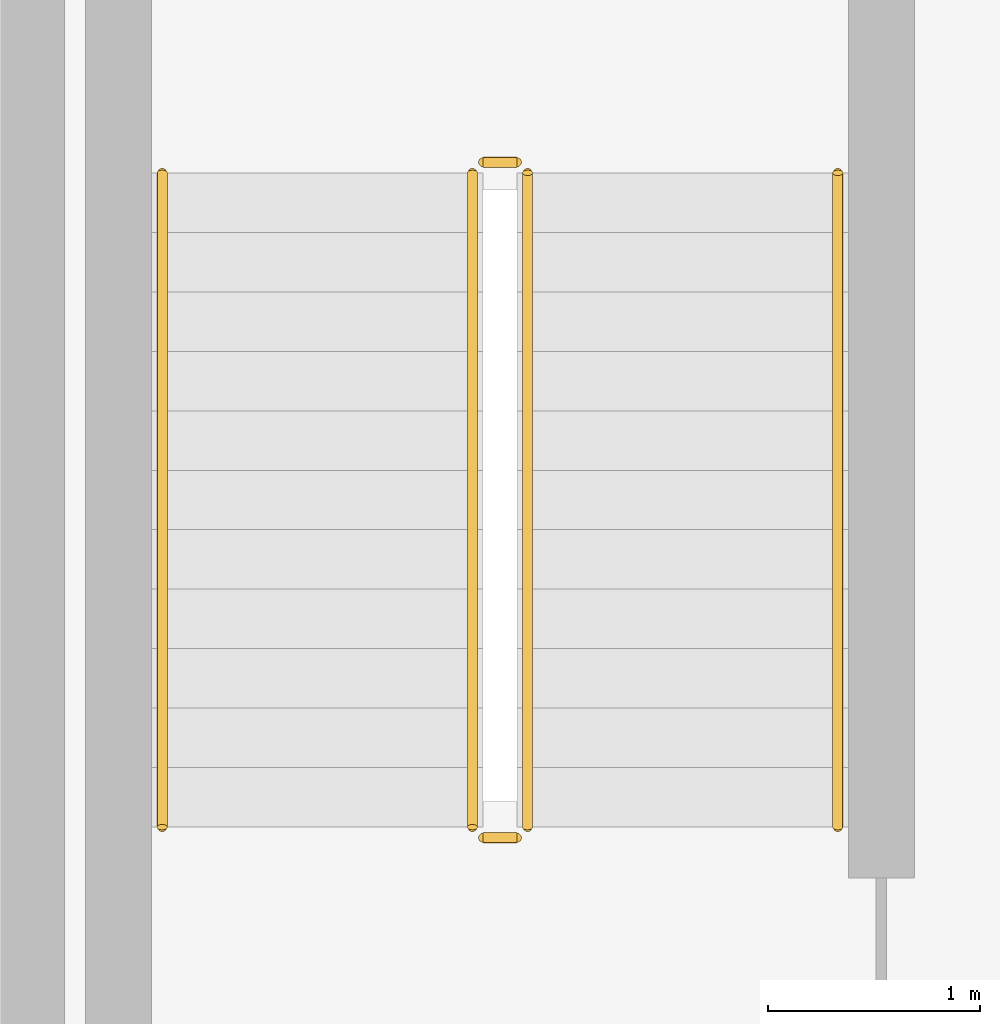
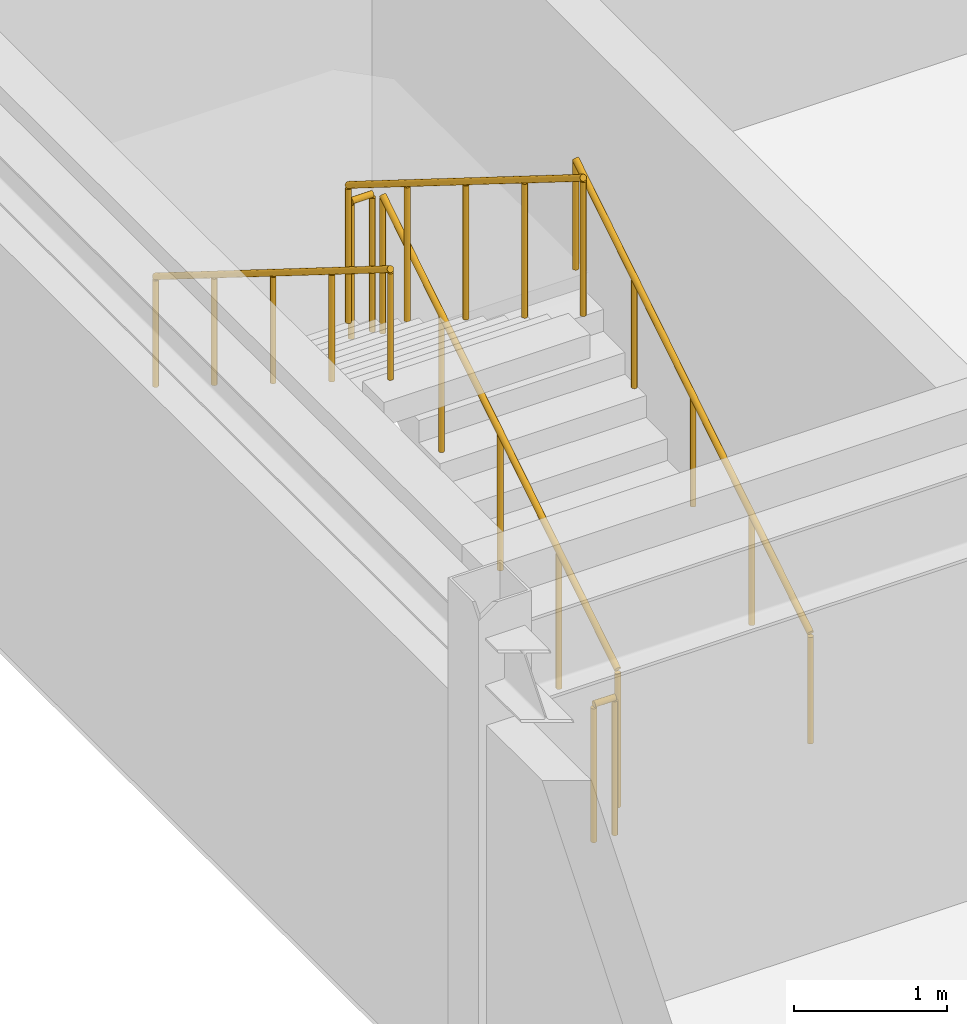
# One storey, part 52 of 53: 6 railings.
"""IFC4 building model written with IfcOpenShell, lengths in metres."""

from ifc_helpers import new_model, si_unit, direction, frame, origin, origin_2d, place, context, subcontext, project, spatial, circle, extrude, material, type_object, element, save


model = new_model("IFC4")

# Units and contexts
model_context = context("Model", 3, precision=1e-05, world=origin(), true_north=direction((0.0, 1.0)))
body_context = subcontext(model_context, "Body", "Model", "MODEL_VIEW")
ifc_project = project(units=[si_unit("LENGTHUNIT", "METRE"), si_unit("AREAUNIT", "SQUARE_METRE"), si_unit("VOLUMEUNIT", "CUBIC_METRE"), si_unit("PLANEANGLEUNIT", "RADIAN"), si_unit("MASSUNIT", "GRAM", prefix="KILO")], contexts=[model_context])

# Site, building, storey
site_placement = place(None, origin())
site = spatial("IfcSite", under=ifc_project, at=site_placement, CompositionType="ELEMENT")
building_placement = place(site_placement, origin())
building = spatial("IfcBuilding", under=site, at=building_placement, Name="Suzunagisa Mobility Hub", CompositionType="ELEMENT")
storey_placement = place(building_placement, frame((0.0, 0.0, 17.699951171875)))
storey = spatial("IfcBuildingStorey", under=building, at=storey_placement, Name="L04", CompositionType="ELEMENT", Elevation=17.699951171875)

# Railings
ifc_material = material(Name="Stainless Steel SUS304", Category="metal")
railing_type_1 = type_object("IfcRailingType", Name="Interior Well Guardrail IGR-01", PredefinedType="GUARDRAIL", material=ifc_material)
railing_1_placement = place(storey_placement, frame((146.330078125, 91.360107421875, 0.175048828125)))
element("IfcRailing", 1, at=railing_1_placement, inside=storey, type_object=railing_type_1, Name="L04 ST-12 stair guard 1", PredefinedType="GUARDRAIL", context=body_context, shape_type="SweptSolid", body=[
    extrude(circle(Radius=0.02392578125, at=origin_2d()), frame((0.0, 0.0, 1.09619140625), z_axis=(0.0, 0.847979421464, 0.530029150871), x_axis=(-1.0, 0.0, 0.0)), (0.0, 0.0, 1.0), 3.632080078125),
    extrude(circle(Radius=0.02099609375, at=origin_2d()), origin(), (0.0, 0.0, 1.0), 1.072021484375),
    extrude(circle(Radius=0.02099609375, at=origin_2d()), frame((0.0, 0.77001953125, 0.481201171875)), (0.0, 0.0, 1.0), 1.072021484375),
    extrude(circle(Radius=0.02099609375, at=origin_2d()), frame((0.0, 1.5400390625, 0.96240234375)), (0.0, 0.0, 1.0), 1.072021484375),
    extrude(circle(Radius=0.02099609375, at=origin_2d()), frame((0.0, 2.309814453125, 1.44384765625)), (0.0, 0.0, 1.0), 1.072021484375),
    extrude(circle(Radius=0.02099609375, at=origin_2d()), frame((0.0, 3.079833984375, 1.925048828125)), (0.0, 0.0, 1.0), 1.072021484375),
])
railing_2_placement = place(storey_placement, frame((146.280029296875, 94.489990234375, 2.10009765625)))
element("IfcRailing", 2, at=railing_2_placement, inside=storey, type_object=railing_type_1, Name="L04 ST-12 stair guard 2", PredefinedType="GUARDRAIL", context=body_context, shape_type="SweptSolid", body=[
    extrude(circle(Radius=0.02392578125, at=origin_2d()), frame((0.0, 0.0, 1.09619140625), z_axis=(-1.0, 0.0, 0.0), x_axis=(0.0, -1.0, 0.0)), (0.0, 0.0, 1.0), 0.159912109375),
    extrude(circle(Radius=0.02099609375, at=origin_2d()), origin(), (0.0, 0.0, 1.0), 1.072021484375),
    extrude(circle(Radius=0.02099609375, at=origin_2d()), frame((-0.159912109375, 0.0, 0.0)), (0.0, 0.0, 1.0), 1.072021484375),
])
railing_3_placement = place(storey_placement, frame((146.070068359375, 94.43994140625, 2.275146484375)))
element("IfcRailing", 3, at=railing_3_placement, inside=storey, type_object=railing_type_1, Name="L04 ST-12 stair guard 3", PredefinedType="GUARDRAIL", context=body_context, shape_type="SweptSolid", body=[
    extrude(circle(Radius=0.02392578125, at=origin_2d()), frame((0.0, 0.0, 1.09619140625), z_axis=(0.0, -0.848009633417, 0.529980812513), x_axis=(1.0, 0.0, 0.0)), (0.0, 0.0, 1.0), 3.6318359375),
    extrude(circle(Radius=0.02099609375, at=origin_2d()), origin(), (0.0, 0.0, 1.0), 1.072021484375),
    extrude(circle(Radius=0.02099609375, at=origin_2d()), frame((0.0, -0.77001953125, 0.481201171875)), (0.0, 0.0, 1.0), 1.072021484375),
    extrude(circle(Radius=0.02099609375, at=origin_2d()), frame((0.0, -1.5400390625, 0.96240234375)), (0.0, 0.0, 1.0), 1.072021484375),
    extrude(circle(Radius=0.02099609375, at=origin_2d()), frame((0.0, -2.309814453125, 1.443603515625)), (0.0, 0.0, 1.0), 1.072021484375),
    extrude(circle(Radius=0.02099609375, at=origin_2d()), frame((0.0, -3.079833984375, 1.9248046875)), (0.0, 0.0, 1.0), 1.072021484375),
])
railing_4_placement = place(storey_placement, frame((146.280029296875, 91.31005859375, 0.0)))
element("IfcRailing", 4, at=railing_4_placement, inside=storey, type_object=railing_type_1, Name="L04 ST-12 stair guard 4", PredefinedType="GUARDRAIL", context=body_context, shape_type="SweptSolid", body=[
    extrude(circle(Radius=0.02392578125, at=origin_2d()), frame((0.0, 0.0, 1.09619140625), z_axis=(-1.0, 0.0, 0.0), x_axis=(0.0, -1.0, 0.0)), (0.0, 0.0, 1.0), 0.159912109375),
    extrude(circle(Radius=0.02099609375, at=origin_2d()), origin(), (0.0, 0.0, 1.0), 1.072021484375),
    extrude(circle(Radius=0.02099609375, at=origin_2d()), frame((-0.159912109375, 0.0, 0.0)), (0.0, 0.0, 1.0), 1.072021484375),
])
railing_type_2 = type_object("IfcRailingType", Name="Tubular Stainless Stair Handrail IHR-01", PredefinedType="HANDRAIL", material=ifc_material)
railing_5_placement = place(storey_placement, frame((147.7900390625, 91.360107421875, 0.175048828125)))
element("IfcRailing", 5, at=railing_5_placement, inside=storey, type_object=railing_type_2, Name="L04 ST-12 stair handrail 1", PredefinedType="HANDRAIL", context=body_context, shape_type="SweptSolid", body=[
    extrude(circle(Radius=0.02392578125, at=origin_2d()), frame((0.0, 0.0, 0.8759765625), z_axis=(0.0, 0.847979421464, 0.530029150871), x_axis=(-1.0, 0.0, 0.0)), (0.0, 0.0, 1.0), 3.632080078125),
    extrude(circle(Radius=0.02099609375, at=origin_2d()), origin(), (0.0, 0.0, 1.0), 0.851806640625),
    extrude(circle(Radius=0.02099609375, at=origin_2d()), frame((0.0, 0.77001953125, 0.481201171875)), (0.0, 0.0, 1.0), 0.851806640625),
    extrude(circle(Radius=0.02099609375, at=origin_2d()), frame((0.0, 1.5400390625, 0.96240234375)), (0.0, 0.0, 1.0), 0.851806640625),
    extrude(circle(Radius=0.02099609375, at=origin_2d()), frame((0.0, 2.309814453125, 1.44384765625)), (0.0, 0.0, 1.0), 0.851806640625),
    extrude(circle(Radius=0.02099609375, at=origin_2d()), frame((0.0, 3.079833984375, 1.925048828125)), (0.0, 0.0, 1.0), 0.851806640625),
])
railing_6_placement = place(storey_placement, frame((144.610107421875, 94.43994140625, 2.275146484375)))
element("IfcRailing", 6, at=railing_6_placement, inside=storey, type_object=railing_type_2, Name="L04 ST-12 stair handrail 2", PredefinedType="HANDRAIL", context=body_context, shape_type="SweptSolid", body=[
    extrude(circle(Radius=0.02392578125, at=origin_2d()), frame((0.0, 0.0, 0.8759765625), z_axis=(0.0, -0.848009633417, 0.529980812513), x_axis=(1.0, 0.0, 0.0)), (0.0, 0.0, 1.0), 3.6318359375),
    extrude(circle(Radius=0.02099609375, at=origin_2d()), origin(), (0.0, 0.0, 1.0), 0.851806640625),
    extrude(circle(Radius=0.02099609375, at=origin_2d()), frame((0.0, -0.77001953125, 0.481201171875)), (0.0, 0.0, 1.0), 0.851806640625),
    extrude(circle(Radius=0.02099609375, at=origin_2d()), frame((0.0, -1.5400390625, 0.96240234375)), (0.0, 0.0, 1.0), 0.851806640625),
    extrude(circle(Radius=0.02099609375, at=origin_2d()), frame((0.0, -2.309814453125, 1.443603515625)), (0.0, 0.0, 1.0), 0.851806640625),
    extrude(circle(Radius=0.02099609375, at=origin_2d()), frame((0.0, -3.079833984375, 1.9248046875)), (0.0, 0.0, 1.0), 0.851806640625),
])

save(model, "model.ifc")
